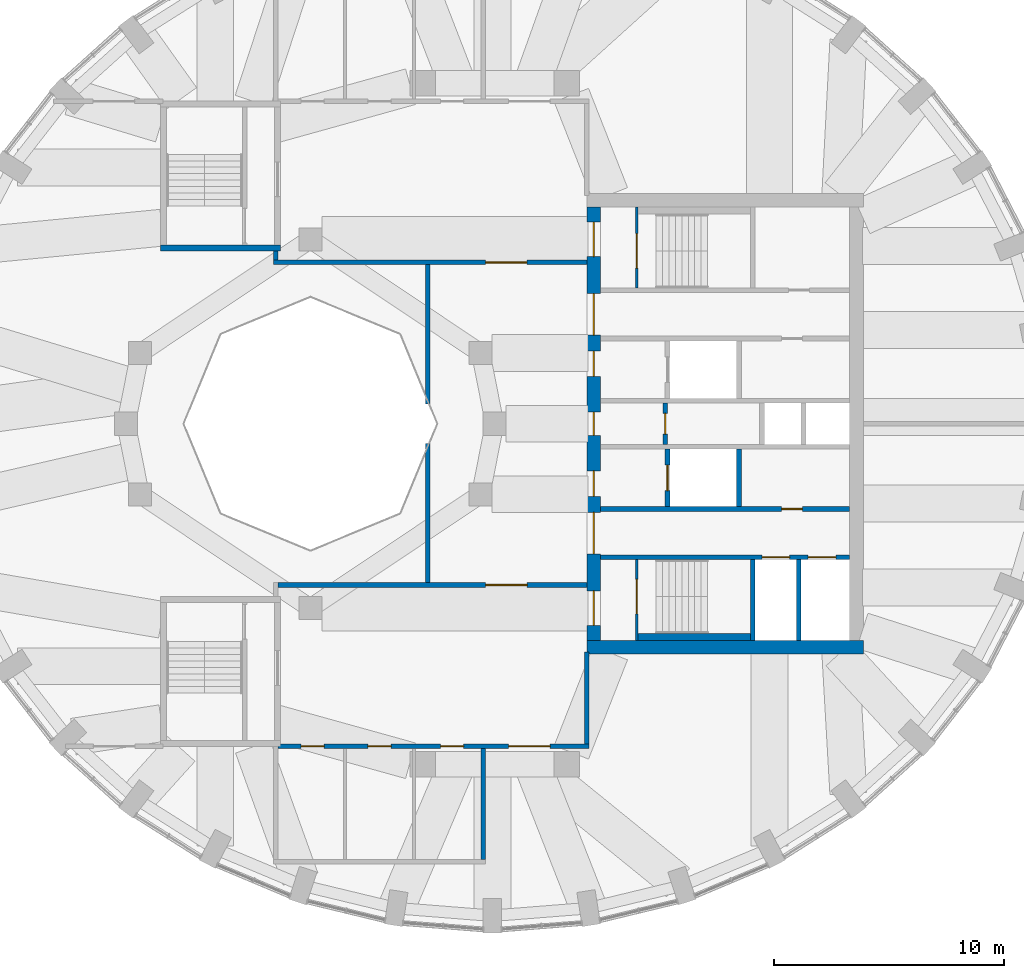
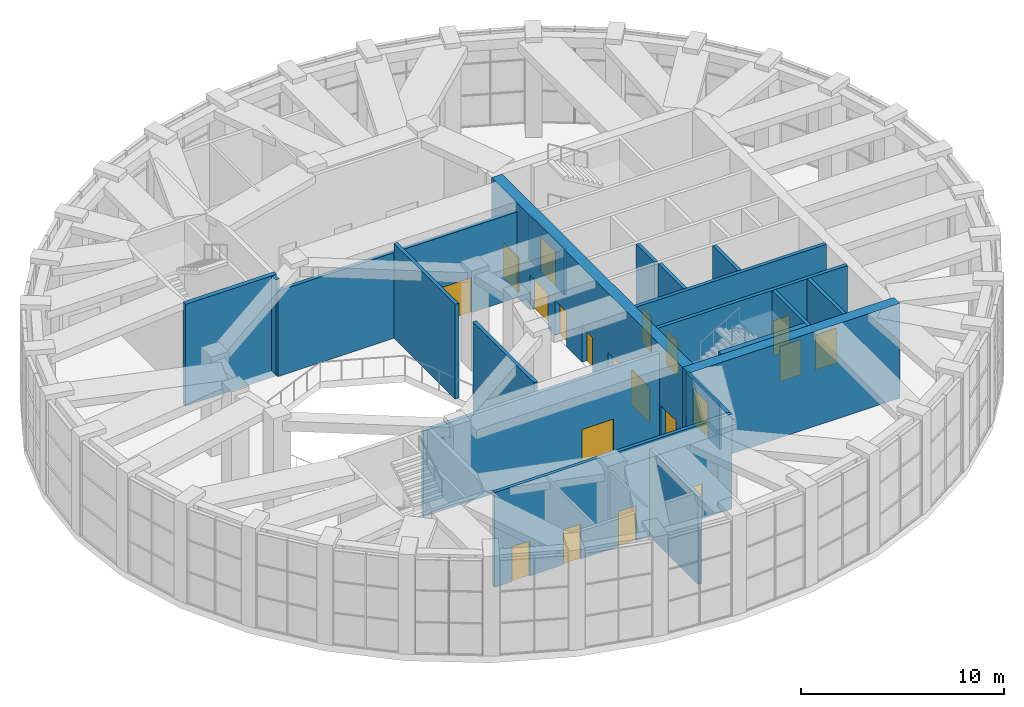
# One storey, part 16 of 20: 21 walls, 20 doors, 20 openings.
"""IFC4 building model written with IfcOpenShell, lengths in metres."""

import ifcopenshell
import ifcopenshell.guid

model = None  # the IFC model being written
_history = None  # IfcOwnerHistory: only IFC2X3 demands one
_inside = {}  # id of a spatial element -> (the spatial element, [elements in it])
_under = {}  # id of a project, library or spatial element -> (it, [spatial elements below it])
_declared = {}  # id of a project -> (the project, [libraries it declares])
_typed = {}  # id of a type object -> (the type object, [elements of that type])
_made_of = {}  # id of a material, layer set ... -> (it, [elements and type objects made of it])


def new_model(schema):
    """Start an empty IFC model of exactly this schema.

    Asked for "IFC4X3", IfcOpenShell would pick the latest addendum, in which some entities
    have other attributes; the version numbers below select the first issue.
    IFC2X3 requires an IfcOwnerHistory on every rooted entity: one is made here for all.
    """
    global model, _history
    if schema == "IFC4X3":
        model = ifcopenshell.file(schema_version=(4, 3, 0, 0))
    else:
        model = ifcopenshell.file(schema=schema)
    _inside.clear()
    _under.clear()
    _declared.clear()
    _typed.clear()
    _made_of.clear()
    _history = None
    if model.schema == "IFC2X3":
        org = make("IfcOrganization", Name="unknown")
        user = make(
            "IfcPersonAndOrganization",
            ThePerson=make("IfcPerson", FamilyName="unknown"),
            TheOrganization=org,
        )
        app = make(
            "IfcApplication",
            ApplicationDeveloper=org,
            Version="unknown",
            ApplicationFullName="unknown",
            ApplicationIdentifier="unknown",
        )
        _history = make(
            "IfcOwnerHistory",
            OwningUser=user,
            OwningApplication=app,
            ChangeAction="ADDED",
            CreationDate=0,
        )
    return model


def make(cls, **values):
    """One entity of the class cls with the attributes given. An attribute that is None is left unset."""
    return model.create_entity(
        cls, **{name: value for name, value in values.items() if value is not None}
    )


def rooted(cls, **values):
    """An entity with a GlobalId (a new one), such as an element, a storey or a relation."""
    return make(cls, GlobalId=ifcopenshell.guid.new(), OwnerHistory=_history, **values)


def si_unit(unit_type, name, prefix=None):
    """IfcSIUnit, for example si_unit("LENGTHUNIT", "METRE", prefix="MILLI")."""
    return make("IfcSIUnit", UnitType=unit_type, Prefix=prefix, Name=name)


def assignment(units):
    """IfcUnitAssignment: the units of a project."""
    return None if units is None else make("IfcUnitAssignment", Units=units)


def point(xyz):
    """IfcCartesianPoint."""
    return None if xyz is None else make("IfcCartesianPoint", Coordinates=xyz)


def direction(xyz):
    """IfcDirection."""
    return None if xyz is None else make("IfcDirection", DirectionRatios=xyz)


def frame(location, z_axis=None, x_axis=None):
    """IfcAxis2Placement3D, a coordinate frame: its origin and axes. An axis left out is left unset."""
    return make(
        "IfcAxis2Placement3D",
        Location=point(location),
        Axis=direction(z_axis),
        RefDirection=direction(x_axis),
    )


def frame_2d(location, x_axis=None):
    """IfcAxis2Placement2D, a coordinate frame in the plane: its origin and x axis."""
    return make(
        "IfcAxis2Placement2D", Location=point(location), RefDirection=direction(x_axis)
    )


def origin():
    """The frame at (0, 0, 0) with its axes left unset."""
    return frame((0.0, 0.0, 0.0))


def place(relative_to, where):
    """IfcLocalPlacement: puts the frame where relative to a parent placement (None: the world)."""
    return make(
        "IfcLocalPlacement", PlacementRelTo=relative_to, RelativePlacement=where
    )


def context(
    kind, dimensions, precision=None, world=None, true_north=None, identifier=None
):
    """IfcGeometricRepresentationContext, for example the 3D "Model" context."""
    return make(
        "IfcGeometricRepresentationContext",
        ContextIdentifier=identifier,
        ContextType=kind,
        CoordinateSpaceDimension=dimensions,
        Precision=precision,
        WorldCoordinateSystem=world,
        TrueNorth=true_north,
    )


def subcontext(parent, identifier, kind, view, scale=None):
    """IfcGeometricRepresentationSubContext, for example "Body" below "Model"."""
    return make(
        "IfcGeometricRepresentationSubContext",
        ContextIdentifier=identifier,
        ContextType=kind,
        ParentContext=parent,
        TargetScale=scale,
        TargetView=view,
    )


def project(units=None, contexts=None):
    """IfcProject with its units and contexts."""
    return rooted(
        "IfcProject",
        Name="project",
        RepresentationContexts=contexts,
        UnitsInContext=assignment(units),
    )


def spatial(cls, under=None, at=None, **own):
    """A site, building, storey or space (cls), placed at a placement, below another one or the project."""
    s = rooted(cls, ObjectPlacement=at, **own)
    if under is not None:
        _under.setdefault(under.id(), (under, []))[1].append(s)
    return s


def profile(cls, at=None, kind="AREA", **sizes):
    """A parametric profile (cls). Its sizes go by their IFC names, for example OverallWidth=200.0."""
    return make(cls, ProfileType=kind, Position=at, **sizes)


def rectangle(**sizes):
    """IfcRectangleProfileDef."""
    return profile("IfcRectangleProfileDef", **sizes)


def extrude(swept, where, along, depth):
    """IfcExtrudedAreaSolid: the profile swept, set in the frame where, extruded along a direction by depth."""
    return make(
        "IfcExtrudedAreaSolid",
        SweptArea=swept,
        Position=where,
        ExtrudedDirection=direction(along),
        Depth=depth,
    )


def shape(context_of_items, identifier, shape_type, items):
    """IfcShapeRepresentation: the items that make up one representation, for example the "Body"."""
    return make(
        "IfcShapeRepresentation",
        ContextOfItems=context_of_items,
        RepresentationIdentifier=identifier,
        RepresentationType=shape_type,
        Items=items,
    )


def material(Name=None, Category=None):
    """IfcMaterial."""
    return make("IfcMaterial", Name=Name, Category=Category)


def layer(
    of_material, thickness, ventilated=None, Name=None, Category=None, Priority=None
):
    """IfcMaterialLayer: one layer of a wall or slab, of a material (None: an air gap)."""
    return make(
        "IfcMaterialLayer",
        Material=of_material,
        LayerThickness=thickness,
        IsVentilated=ventilated,
        Name=Name,
        Category=Category,
        Priority=Priority,
    )


def layer_set(layers, Name=None):
    """IfcMaterialLayerSet."""
    return make("IfcMaterialLayerSet", MaterialLayers=layers, LayerSetName=Name)


def made_of(thing, what):
    """Note that an element or type object is made of a material, layer set ...; save() writes the relation."""
    if what is not None:
        _made_of.setdefault(what.id(), (what, []))[1].append(thing)
    return thing


def type_object(cls, material=None, **own):
    """A type object (cls), such as IfcWallType, which elements share."""
    return made_of(rooted(cls, **own), material)


def element(
    cls,
    number,
    at=None,
    inside=None,
    cuts=None,
    type_object=None,
    material=None,
    context=None,
    identifier="Body",
    shape_type=None,
    held_by="IfcProductDefinitionShape",
    body=None,
    shapes=None,
    **own,
):
    """One element of the class cls, such as IfcWall. Its Tag is "e" and its number.

    at: its placement. inside: the storey or other place that contains it. cuts: it is an
    opening in that element (IfcRelVoidsElement). A single representation is given by context,
    identifier, shape_type and body (its items); several are given by shapes. held_by: the class
    of the entity that holds the representations. save() writes the other relations.
    """
    e = rooted(cls, Tag="e%d" % number, ObjectPlacement=at, **own)
    if body is not None:
        shapes = [shape(context, identifier, shape_type, body)]
    if shapes is not None:
        e.Representation = make(held_by, Representations=shapes)
    if inside is not None:
        _inside.setdefault(inside.id(), (inside, []))[1].append(e)
    if cuts is not None:
        rooted(
            "IfcRelVoidsElement", RelatingBuildingElement=cuts, RelatedOpeningElement=e
        )
    if type_object is not None:
        _typed.setdefault(type_object.id(), (type_object, []))[1].append(e)
    return made_of(e, material)


def fill(opening, filler):
    """IfcRelFillsElement: the door or window that sits in an opening."""
    return rooted(
        "IfcRelFillsElement",
        RelatingOpeningElement=opening,
        RelatedBuildingElement=filler,
    )


def aggregate(whole, parts):
    """IfcRelAggregates: a whole, such as a stair, and the parts it consists of."""
    return rooted("IfcRelAggregates", RelatingObject=whole, RelatedObjects=parts)


def save(model, path):
    """Write the relations noted so far, then the file.

    IfcRelAggregates (storeys below a building ...), IfcRelContainedInSpatialStructure (elements
    in a storey), IfcRelDefinesByType, IfcRelAssociatesMaterial and IfcRelDeclares: one each for
    every whole, place, type object, material and project.
    """
    for whole, parts in _under.values():
        aggregate(whole, parts)
    for where, things in _inside.values():
        rooted(
            "IfcRelContainedInSpatialStructure",
            RelatedElements=things,
            RelatingStructure=where,
        )
    for kind, things in _typed.values():
        rooted("IfcRelDefinesByType", RelatedObjects=things, RelatingType=kind)
    for what, things in _made_of.values():
        rooted("IfcRelAssociatesMaterial", RelatedObjects=things, RelatingMaterial=what)
    for by, libraries in _declared.values():
        rooted("IfcRelDeclares", RelatingContext=by, RelatedDefinitions=libraries)
    model.write(path)


model = new_model("IFC4")

# Units and contexts
model_context = context("Model", 3, precision=1e-05, world=origin(), true_north=direction((0.0, 1.0)))
body_context = subcontext(model_context, "Body", "Model", "MODEL_VIEW")
ifc_project = project(units=[si_unit("LENGTHUNIT", "METRE"), si_unit("AREAUNIT", "SQUARE_METRE"), si_unit("VOLUMEUNIT", "CUBIC_METRE"), si_unit("PLANEANGLEUNIT", "RADIAN"), si_unit("MASSUNIT", "GRAM", prefix="KILO")], contexts=[model_context])

# Site, building, storey
site_placement = place(None, origin())
site = spatial("IfcSite", under=ifc_project, at=site_placement, CompositionType="ELEMENT")
building_placement = place(site_placement, origin())
building = spatial("IfcBuilding", under=site, at=building_placement, Name="Taillehof Tower", CompositionType="ELEMENT")
storey_placement = place(building_placement, frame((0.0, 0.0, 269.199951171875)))
storey = spatial("IfcBuildingStorey", under=building, at=storey_placement, Name="L76", CompositionType="ELEMENT", Elevation=269.199951171875)

# Wall, openings, doors
ifc_material_1 = material(Name="Calcium silicate blockwork", Category="masonry")
ifc_layer_1 = layer(ifc_material_1, 0.199951171875)
ifc_layer_set_1 = layer_set([ifc_layer_1], Name="Compartment wall EI 60 200 mm")
wall_type_1 = type_object("IfcWallType", Name="Compartment wall EI 60 200 mm", PredefinedType="PARTITIONING", material=ifc_layer_set_1)
wall_1_placement = place(storey_placement, frame((-9.39990234375, -14.0, 0.0), z_axis=(0.0, 0.0, 1.0), x_axis=(1.0, 0.0, 0.0)))
wall_1 = element("IfcWall", 1, at=wall_1_placement, inside=storey, type_object=wall_type_1, Name="Wall L76-04 / L76-08", PredefinedType="PARTITIONING", context=body_context, shape_type="SweptSolid", body=[
    extrude(rectangle(XDim=13.5, YDim=0.199951171875, at=frame_2d((6.75, 0.0))), origin(), (0.0, 0.0, 1.0), 5.699951171875),
])
opening_1_placement = place(wall_1_placement, frame((10.0, 0.0, 0.0)))
opening_1 = element("IfcOpeningElement", 2, at=opening_1_placement, cuts=wall_1, Name="Opening D7645", PredefinedType="OPENING", context=body_context, shape_type="SweptSolid", body=[
    extrude(rectangle(XDim=1.800048828125, YDim=2.10009765625, at=frame_2d((0.89990234375, 1.050048828125))), frame((0.0, 0.10986328125, 0.0), z_axis=(0.0, -1.0, 0.0), x_axis=(1.0, 0.0, 0.0)), (0.0, 0.0, 1.0), 0.219970703125),
])
opening_2_placement = place(wall_1_placement, frame((1.0, 0.0, 0.0)))
opening_2 = element("IfcOpeningElement", 3, at=opening_2_placement, cuts=wall_1, Name="Opening D7642", PredefinedType="OPENING", context=body_context, shape_type="SweptSolid", body=[
    extrude(rectangle(XDim=1.0, YDim=2.10009765625, at=frame_2d((0.5, 1.050048828125))), frame((0.0, 0.10986328125, 0.0), z_axis=(0.0, -1.0, 0.0), x_axis=(1.0, 0.0, 0.0)), (0.0, 0.0, 1.0), 0.219970703125),
])
opening_3_placement = place(wall_1_placement, frame((3.89990234375, 0.0, 0.0)))
opening_3 = element("IfcOpeningElement", 4, at=opening_3_placement, cuts=wall_1, Name="Opening D7643", PredefinedType="OPENING", context=body_context, shape_type="SweptSolid", body=[
    extrude(rectangle(XDim=1.0, YDim=2.10009765625, at=frame_2d((0.5, 1.050048828125))), frame((0.0, 0.10986328125, 0.0), z_axis=(0.0, -1.0, 0.0), x_axis=(1.0, 0.0, 0.0)), (0.0, 0.0, 1.0), 0.219970703125),
])
opening_4_placement = place(wall_1_placement, frame((7.050048828125, 0.0, 0.0)))
opening_4 = element("IfcOpeningElement", 5, at=opening_4_placement, cuts=wall_1, Name="Opening D7644", PredefinedType="OPENING", context=body_context, shape_type="SweptSolid", body=[
    extrude(rectangle(XDim=1.0, YDim=2.10009765625, at=frame_2d((0.5, 1.050048828125))), frame((0.0, 0.10986328125, 0.0), z_axis=(0.0, -1.0, 0.0), x_axis=(1.0, 0.0, 0.0)), (0.0, 0.0, 1.0), 0.219970703125),
])
ifc_material_2 = material(Name="Hollow metal door set")
door_type_1 = type_object("IfcDoorType", Name="Double door 1800 x 2100 FD60S", OperationType="DOUBLE_DOOR_SINGLE_SWING", PredefinedType="DOOR", material=ifc_material_2)
door_1_placement = place(opening_1_placement, origin())
door_1 = element("IfcDoor", 6, at=door_1_placement, inside=storey, type_object=door_type_1, Name="Door D7645", OperationType="DOUBLE_DOOR_SINGLE_SWING", OverallHeight=2.10009765625, OverallWidth=1.800048828125, PredefinedType="DOOR", context=body_context, shape_type="SweptSolid", body=[
    extrude(rectangle(XDim=1.800048828125, YDim=2.10009765625, at=frame_2d((0.89990234375, 1.050048828125))), frame((0.0, 0.02490234375, 0.0), z_axis=(0.0, -1.0, 0.0), x_axis=(1.0, 0.0, 0.0)), (0.0, 0.0, 1.0), 0.050048828125),
])
fill(opening_1, door_1)
ifc_material_3 = material(Name="Hollow metal door set")
door_type_2 = type_object("IfcDoorType", Name="Single door 1000 x 2100 FD60S", OperationType="SINGLE_SWING_LEFT", PredefinedType="DOOR", material=ifc_material_3)
door_2_placement = place(opening_2_placement, origin())
door_2 = element("IfcDoor", 7, at=door_2_placement, inside=storey, type_object=door_type_2, Name="Door D7642", OperationType="SINGLE_SWING_LEFT", OverallHeight=2.10009765625, OverallWidth=1.0, PredefinedType="DOOR", context=body_context, shape_type="SweptSolid", body=[
    extrude(rectangle(XDim=1.0, YDim=2.10009765625, at=frame_2d((0.5, 1.050048828125))), frame((0.0, 0.02490234375, 0.0), z_axis=(0.0, -1.0, 0.0), x_axis=(1.0, 0.0, 0.0)), (0.0, 0.0, 1.0), 0.050048828125),
])
fill(opening_2, door_2)
door_3_placement = place(opening_3_placement, origin())
door_3 = element("IfcDoor", 8, at=door_3_placement, inside=storey, type_object=door_type_2, Name="Door D7643", OperationType="SINGLE_SWING_LEFT", OverallHeight=2.10009765625, OverallWidth=1.0, PredefinedType="DOOR", context=body_context, shape_type="SweptSolid", body=[
    extrude(rectangle(XDim=1.0, YDim=2.10009765625, at=frame_2d((0.5, 1.050048828125))), frame((0.0, 0.02490234375, 0.0), z_axis=(0.0, -1.0, 0.0), x_axis=(1.0, 0.0, 0.0)), (0.0, 0.0, 1.0), 0.050048828125),
])
fill(opening_3, door_3)
door_4_placement = place(opening_4_placement, origin())
door_4 = element("IfcDoor", 9, at=door_4_placement, inside=storey, type_object=door_type_2, Name="Door D7644", OperationType="SINGLE_SWING_LEFT", OverallHeight=2.10009765625, OverallWidth=1.0, PredefinedType="DOOR", context=body_context, shape_type="SweptSolid", body=[
    extrude(rectangle(XDim=1.0, YDim=2.10009765625, at=frame_2d((0.5, 1.050048828125))), frame((0.0, 0.02490234375, 0.0), z_axis=(0.0, -1.0, 0.0), x_axis=(1.0, 0.0, 0.0)), (0.0, 0.0, 1.0), 0.050048828125),
])
fill(opening_4, door_4)

# Wall, opening, door
wall_2_placement = place(storey_placement, frame((-9.39990234375, -7.0, 0.0), z_axis=(0.0, 0.0, 1.0), x_axis=(1.0, 0.0, 0.0)))
wall_2 = element("IfcWall", 10, at=wall_2_placement, inside=storey, type_object=wall_type_1, Name="Wall L76-08 / L76-12", PredefinedType="PARTITIONING", context=body_context, shape_type="SweptSolid", body=[
    extrude(rectangle(XDim=13.40185546875, YDim=0.199951171875, at=frame_2d((6.700927734375, 0.0))), origin(), (0.0, 0.0, 1.0), 5.150146484375),
])
opening_5_placement = place(wall_2_placement, frame((9.0009765625, 0.0, 0.0)))
opening_5 = element("IfcOpeningElement", 11, at=opening_5_placement, cuts=wall_2, Name="Opening D7646", PredefinedType="OPENING", context=body_context, shape_type="SweptSolid", body=[
    extrude(rectangle(XDim=1.800048828125, YDim=2.10009765625, at=frame_2d((0.89990234375, 1.050048828125))), frame((0.0, 0.10986328125, 0.0), z_axis=(0.0, -1.0, 0.0), x_axis=(1.0, 0.0, 0.0)), (0.0, 0.0, 1.0), 0.219970703125),
])
door_5_placement = place(opening_5_placement, origin())
door_5 = element("IfcDoor", 12, at=door_5_placement, inside=storey, type_object=door_type_1, Name="Door D7646", OperationType="DOUBLE_DOOR_SINGLE_SWING", OverallHeight=2.10009765625, OverallWidth=1.800048828125, PredefinedType="DOOR", context=body_context, shape_type="SweptSolid", body=[
    extrude(rectangle(XDim=1.800048828125, YDim=2.10009765625, at=frame_2d((0.89990234375, 1.050048828125))), frame((0.0, 0.02490234375, 0.0), z_axis=(0.0, -1.0, 0.0), x_axis=(1.0, 0.0, 0.0)), (0.0, 0.0, 1.0), 0.050048828125),
])
fill(opening_5, door_5)

wall_3_placement = place(storey_placement, frame((-9.60009765625, 7.0, 0.0), z_axis=(0.0, 0.0, 1.0), x_axis=(1.0, 0.0, 0.0)))
wall_3 = element("IfcWall", 13, at=wall_3_placement, inside=storey, type_object=wall_type_1, Name="Wall L76-07 / L76-12", PredefinedType="PARTITIONING", context=body_context, shape_type="SweptSolid", body=[
    extrude(rectangle(XDim=13.60205078125, YDim=0.199951171875, at=frame_2d((6.801025390625, 0.0))), origin(), (0.0, 0.0, 1.0), 5.150146484375),
])
opening_6_placement = place(wall_3_placement, frame((9.200927734375, 0.0, 0.0)))
opening_6 = element("IfcOpeningElement", 14, at=opening_6_placement, cuts=wall_3, Name="Opening D7647", PredefinedType="OPENING", context=body_context, shape_type="SweptSolid", body=[
    extrude(rectangle(XDim=1.800048828125, YDim=2.10009765625, at=frame_2d((0.89990234375, 1.050048828125))), frame((0.0, 0.10986328125, 0.0), z_axis=(0.0, -1.0, 0.0), x_axis=(1.0, 0.0, 0.0)), (0.0, 0.0, 1.0), 0.219970703125),
])
door_6_placement = place(opening_6_placement, origin())
door_6 = element("IfcDoor", 15, at=door_6_placement, inside=storey, type_object=door_type_1, Name="Door D7647", OperationType="DOUBLE_DOOR_SINGLE_SWING", OverallHeight=2.10009765625, OverallWidth=1.800048828125, PredefinedType="DOOR", context=body_context, shape_type="SweptSolid", body=[
    extrude(rectangle(XDim=1.800048828125, YDim=2.10009765625, at=frame_2d((0.89990234375, 1.050048828125))), frame((0.0, 0.02490234375, 0.0), z_axis=(0.0, -1.0, 0.0), x_axis=(1.0, 0.0, 0.0)), (0.0, 0.0, 1.0), 0.050048828125),
])
fill(opening_6, door_6)

# Walls
wall_4_placement = place(storey_placement, frame((-9.5, 7.10009765625, 0.0), z_axis=(0.0, 0.0, 1.0), x_axis=(0.0, 1.0, 0.0)))
element("IfcWall", 16, at=wall_4_placement, inside=storey, type_object=wall_type_1, Name="Wall L76-07 / L76-12", PredefinedType="PARTITIONING", context=body_context, shape_type="SweptSolid", body=[
    extrude(rectangle(XDim=0.40185546875, YDim=0.199951171875, at=frame_2d((0.200927734375, 0.0))), origin(), (0.0, 0.0, 1.0), 5.699951171875),
])
for number, where, z_axis, x_axis, name in (
    (17, (-2.89990234375, -6.89990234375, 0.0), (0.0, 0.0, 1.0), (0.0, 1.0, 0.0), "Wall L76-09 / L76-12"),
    (18, (-2.89990234375, 0.86572265625, 0.0), (0.0, 0.0, 1.0), (0.0, 1.0, 0.0), "Wall L76-09 / L76-12"),
):
    element("IfcWall", number, at=place(storey_placement, frame(where, z_axis=z_axis, x_axis=x_axis)), inside=storey, type_object=wall_type_1, Name=name, PredefinedType="PARTITIONING", context=body_context, shape_type="SweptSolid", body=[
        extrude(rectangle(XDim=6.0341796875, YDim=0.199951171875, at=frame_2d((3.01708984375, 0.0))), origin(), (0.0, 0.0, 1.0), 5.699951171875),
    ])
wall_5_placement = place(storey_placement, frame((-0.5, -18.89990234375, 0.0), z_axis=(0.0, 0.0, 1.0), x_axis=(0.0, 1.0, 0.0)))
element("IfcWall", 19, at=wall_5_placement, inside=storey, type_object=wall_type_1, Name="Wall L76-06 / L76-11", PredefinedType="PARTITIONING", context=body_context, shape_type="SweptSolid", body=[
    extrude(rectangle(XDim=4.7998046875, YDim=0.199951171875, at=frame_2d((2.39990234375, 0.0))), origin(), (0.0, 0.0, 1.0), 5.25),
])
wall_6_placement = place(storey_placement, frame((4.0, -13.89990234375, 0.0), z_axis=(0.0, 0.0, 1.0), x_axis=(0.0, 1.0, 0.0)))
element("IfcWall", 20, at=wall_6_placement, inside=storey, type_object=wall_type_1, Name="Wall L76-08 / L76-11", PredefinedType="PARTITIONING", context=body_context, shape_type="SweptSolid", body=[
    extrude(rectangle(XDim=4.0, YDim=0.199951171875, at=frame_2d((2.0, 0.0))), origin(), (0.0, 0.0, 1.0), 5.699951171875),
])

# Wall, opening, door
ifc_material_4 = material(Name="Calcium silicate masonry", Category="masonry")
ifc_layer_2 = layer(ifc_material_4, 0.199951171875)
ifc_layer_set_2 = layer_set([ifc_layer_2], Name="Compartment wall calcium silicate 200")
wall_type_2 = type_object("IfcWallType", Name="Compartment wall calcium silicate 200", PredefinedType="PARTITIONING", material=ifc_layer_set_2)
wall_7_placement = place(storey_placement, frame((7.39990234375, -0.89990234375, 0.0), z_axis=(0.0, 0.0, 1.0), x_axis=(0.0, 1.0, 0.0)))
wall_7 = element("IfcWall", 21, at=wall_7_placement, inside=storey, type_object=wall_type_2, Name="Compartment wall FW", PredefinedType="PARTITIONING", context=body_context, shape_type="SweptSolid", body=[
    extrude(rectangle(XDim=1.7998046875, YDim=0.199951171875, at=frame_2d((0.89990234375, 0.0))), origin(), (0.0, 0.0, 1.0), 5.699951171875),
])
opening_7_placement = place(wall_7_placement, frame((0.449951171875, 0.0, 0.0)))
opening_7 = element("IfcOpeningElement", 22, at=opening_7_placement, cuts=wall_7, Name="Opening D7615", PredefinedType="OPENING", context=body_context, shape_type="SweptSolid", body=[
    extrude(rectangle(XDim=0.89990234375, YDim=2.10009765625, at=frame_2d((0.449951171875, 1.050048828125))), frame((0.0, 0.10986328125, 0.0), z_axis=(0.0, -1.0, 0.0), x_axis=(1.0, 0.0, 0.0)), (0.0, 0.0, 1.0), 0.219970703125),
])
ifc_material_5 = material(Name="Steel-faced fire door", Category="steel")
door_type_3 = type_object("IfcDoorType", Name="Riser and service room door 900x2100", OperationType="SINGLE_SWING_LEFT", PredefinedType="DOOR", material=ifc_material_5)
door_7_placement = place(opening_7_placement, origin())
door_7 = element("IfcDoor", 23, at=door_7_placement, inside=storey, type_object=door_type_3, Name="Door Staff Pantry", OperationType="SINGLE_SWING_LEFT", OverallHeight=2.10009765625, OverallWidth=0.89990234375, PredefinedType="DOOR", context=body_context, shape_type="SweptSolid", body=[
    extrude(rectangle(XDim=0.89990234375, YDim=2.10009765625, at=frame_2d((0.449951171875, 1.050048828125))), frame((0.0, 0.02490234375, 0.0), z_axis=(0.0, -1.0, 0.0), x_axis=(1.0, 0.0, 0.0)), (0.0, 0.0, 1.0), 0.050048828125),
])
fill(opening_7, door_7)

# Wall
ifc_material_6 = material(Name="Calcium silicate masonry", Category="masonry")
ifc_layer_3 = layer(ifc_material_6, 0.300048828125)
ifc_layer_set_3 = layer_set([ifc_layer_3], Name="Compartment wall lining calcium silicate 300")
wall_type_3 = type_object("IfcWallType", Name="Compartment wall lining calcium silicate 300", PredefinedType="PARTITIONING", material=ifc_layer_set_3)
wall_8_placement = place(storey_placement, frame((6.219970703125, -9.25, 0.0), z_axis=(0.0, 0.0, 1.0), x_axis=(1.0, 0.0, 0.0)))
element("IfcWall", 24, at=wall_8_placement, inside=storey, type_object=wall_type_3, Name="Compartment wall FW", PredefinedType="PARTITIONING", context=body_context, shape_type="SweptSolid", body=[
    extrude(rectangle(XDim=4.880126953125, YDim=0.300048828125, at=frame_2d((2.43994140625, 0.0))), origin(), (0.0, 0.0, 1.0), 5.699951171875),
])

# Wall, openings, doors
ifc_material_7 = material(Name="Concrete C80/95", Category="concrete")
ifc_layer_4 = layer(ifc_material_7, 0.60009765625)
ifc_layer_set_4 = layer_set([ifc_layer_4], Name="Core wall C80/95 600")
wall_type_4 = type_object("IfcWallType", Name="Core wall C80/95 600", PredefinedType="SHEAR", material=ifc_layer_set_4)
wall_9_placement = place(storey_placement, frame((4.300048828125, -9.39990234375, 0.0), z_axis=(0.0, 0.0, 1.0), x_axis=(0.0, 1.0, 0.0)))
wall_9 = element("IfcWall", 25, at=wall_9_placement, inside=storey, type_object=wall_type_4, Name="Core wall CW01", PredefinedType="SHEAR", context=body_context, shape_type="SweptSolid", body=[
    extrude(rectangle(XDim=18.7998046875, YDim=0.60009765625, at=frame_2d((9.39990234375, 0.0))), origin(), (0.0, 0.0, 1.0), 5.699951171875),
])
opening_8_placement = place(wall_9_placement, frame((0.64990234375, 0.0, 0.0)))
opening_8 = element("IfcOpeningElement", 26, at=opening_8_placement, cuts=wall_9, Name="Opening D7601", PredefinedType="OPENING", context=body_context, shape_type="SweptSolid", body=[
    extrude(rectangle(XDim=1.5, YDim=2.10009765625, at=frame_2d((0.75, 1.050048828125))), frame((0.0, 0.31005859375, 0.0), z_axis=(0.0, -1.0, 0.0), x_axis=(1.0, 0.0, 0.0)), (0.0, 0.0, 1.0), 0.6201171875),
])
opening_9_placement = place(wall_9_placement, frame((3.75, 0.0, 0.0)))
opening_9 = element("IfcOpeningElement", 27, at=opening_9_placement, cuts=wall_9, Name="Opening D7602", PredefinedType="OPENING", context=body_context, shape_type="SweptSolid", body=[
    extrude(rectangle(XDim=1.800048828125, YDim=2.10009765625, at=frame_2d((0.89990234375, 1.050048828125))), frame((0.0, 0.31005859375, 0.0), z_axis=(0.0, -1.0, 0.0), x_axis=(1.0, 0.0, 0.0)), (0.0, 0.0, 1.0), 0.6201171875),
])
opening_10_placement = place(wall_9_placement, frame((6.25, 0.0, 0.0)))
opening_10 = element("IfcOpeningElement", 28, at=opening_10_placement, cuts=wall_9, Name="Opening D7603", PredefinedType="OPENING", context=body_context, shape_type="SweptSolid", body=[
    extrude(rectangle(XDim=1.10009765625, YDim=2.10009765625, at=frame_2d((0.550048828125, 1.050048828125))), frame((0.0, 0.31005859375, 0.0), z_axis=(0.0, -1.0, 0.0), x_axis=(1.0, 0.0, 0.0)), (0.0, 0.0, 1.0), 0.6201171875),
])
opening_11_placement = place(wall_9_placement, frame((8.89990234375, 0.0, 0.0)))
opening_11 = element("IfcOpeningElement", 29, at=opening_11_placement, cuts=wall_9, Name="Opening D7604", PredefinedType="OPENING", context=body_context, shape_type="SweptSolid", body=[
    extrude(rectangle(XDim=1.0, YDim=2.10009765625, at=frame_2d((0.5, 1.050048828125))), frame((0.0, 0.31005859375, 0.0), z_axis=(0.0, -1.0, 0.0), x_axis=(1.0, 0.0, 0.0)), (0.0, 0.0, 1.0), 0.6201171875),
])
opening_12_placement = place(wall_9_placement, frame((11.449951171875, 0.0, 0.0)))
opening_12 = element("IfcOpeningElement", 30, at=opening_12_placement, cuts=wall_9, Name="Opening D7605", PredefinedType="OPENING", context=body_context, shape_type="SweptSolid", body=[
    extrude(rectangle(XDim=1.10009765625, YDim=2.10009765625, at=frame_2d((0.550048828125, 1.050048828125))), frame((0.0, 0.31005859375, 0.0), z_axis=(0.0, -1.0, 0.0), x_axis=(1.0, 0.0, 0.0)), (0.0, 0.0, 1.0), 0.6201171875),
])
opening_13_placement = place(wall_9_placement, frame((13.25, 0.0, 0.0)))
opening_13 = element("IfcOpeningElement", 31, at=opening_13_placement, cuts=wall_9, Name="Opening D7606", PredefinedType="OPENING", context=body_context, shape_type="SweptSolid", body=[
    extrude(rectangle(XDim=1.800048828125, YDim=2.10009765625, at=frame_2d((0.89990234375, 1.050048828125))), frame((0.0, 0.31005859375, 0.0), z_axis=(0.0, -1.0, 0.0), x_axis=(1.0, 0.0, 0.0)), (0.0, 0.0, 1.0), 0.6201171875),
])
opening_14_placement = place(wall_9_placement, frame((16.64990234375, 0.0, 0.0)))
opening_14 = element("IfcOpeningElement", 32, at=opening_14_placement, cuts=wall_9, Name="Opening D7607", PredefinedType="OPENING", context=body_context, shape_type="SweptSolid", body=[
    extrude(rectangle(XDim=1.5, YDim=2.10009765625, at=frame_2d((0.75, 1.050048828125))), frame((0.0, 0.31005859375, 0.0), z_axis=(0.0, -1.0, 0.0), x_axis=(1.0, 0.0, 0.0)), (0.0, 0.0, 1.0), 0.6201171875),
])
ifc_material_8 = material(Name="Steel-faced fire door", Category="steel")
door_type_4 = type_object("IfcDoorType", Name="Firefighting lobby door 1100x2100", OperationType="SINGLE_SWING_RIGHT", PredefinedType="DOOR", material=ifc_material_8)
door_8_placement = place(opening_10_placement, origin())
door_8 = element("IfcDoor", 33, at=door_8_placement, inside=storey, type_object=door_type_4, Name="Firefighting lobby door FFL-S", OperationType="SINGLE_SWING_RIGHT", OverallHeight=2.10009765625, OverallWidth=1.10009765625, PredefinedType="DOOR", context=body_context, shape_type="SweptSolid", body=[
    extrude(rectangle(XDim=1.10009765625, YDim=2.10009765625, at=frame_2d((0.550048828125, 1.050048828125))), frame((0.0, 0.02490234375, 0.0), z_axis=(0.0, -1.0, 0.0), x_axis=(1.0, 0.0, 0.0)), (0.0, 0.0, 1.0), 0.050048828125),
])
fill(opening_10, door_8)
door_9_placement = place(opening_12_placement, origin())
door_9 = element("IfcDoor", 34, at=door_9_placement, inside=storey, type_object=door_type_4, Name="Firefighting lobby door FFL-N", OperationType="SINGLE_SWING_LEFT", OverallHeight=2.10009765625, OverallWidth=1.10009765625, PredefinedType="DOOR", context=body_context, shape_type="SweptSolid", body=[
    extrude(rectangle(XDim=1.10009765625, YDim=2.10009765625, at=frame_2d((0.550048828125, 1.050048828125))), frame((0.0, 0.02490234375, 0.0), z_axis=(0.0, -1.0, 0.0), x_axis=(1.0, 0.0, 0.0)), (0.0, 0.0, 1.0), 0.050048828125),
])
fill(opening_12, door_9)
ifc_material_9 = material(Name="Steel-faced fire door", Category="steel")
door_type_5 = type_object("IfcDoorType", Name="Lift lobby door 1800x2100", OperationType="DOUBLE_DOOR_SINGLE_SWING", PredefinedType="DOOR", material=ifc_material_9)
door_10_placement = place(opening_9_placement, origin())
door_10 = element("IfcDoor", 35, at=door_10_placement, inside=storey, type_object=door_type_5, Name="Lift lobby door LL-S", OperationType="DOUBLE_DOOR_SINGLE_SWING", OverallHeight=2.10009765625, OverallWidth=1.800048828125, PredefinedType="DOOR", context=body_context, shape_type="SweptSolid", body=[
    extrude(rectangle(XDim=1.800048828125, YDim=2.10009765625, at=frame_2d((0.89990234375, 1.050048828125))), frame((0.0, 0.02490234375, 0.0), z_axis=(0.0, -1.0, 0.0), x_axis=(1.0, 0.0, 0.0)), (0.0, 0.0, 1.0), 0.050048828125),
])
fill(opening_9, door_10)
door_11_placement = place(opening_13_placement, origin())
door_11 = element("IfcDoor", 36, at=door_11_placement, inside=storey, type_object=door_type_5, Name="Lift lobby door LL-N", OperationType="DOUBLE_DOOR_SINGLE_SWING", OverallHeight=2.10009765625, OverallWidth=1.800048828125, PredefinedType="DOOR", context=body_context, shape_type="SweptSolid", body=[
    extrude(rectangle(XDim=1.800048828125, YDim=2.10009765625, at=frame_2d((0.89990234375, 1.050048828125))), frame((0.0, 0.02490234375, 0.0), z_axis=(0.0, -1.0, 0.0), x_axis=(1.0, 0.0, 0.0)), (0.0, 0.0, 1.0), 0.050048828125),
])
fill(opening_13, door_11)
ifc_material_10 = material(Name="Steel-faced fire door", Category="steel")
door_type_6 = type_object("IfcDoorType", Name="Service door 1000x2100", OperationType="SINGLE_SWING_RIGHT", PredefinedType="DOOR", material=ifc_material_10)
door_12_placement = place(opening_11_placement, origin())
door_12 = element("IfcDoor", 37, at=door_12_placement, inside=storey, type_object=door_type_6, Name="Service door SV", OperationType="SINGLE_SWING_RIGHT", OverallHeight=2.10009765625, OverallWidth=1.0, PredefinedType="DOOR", context=body_context, shape_type="SweptSolid", body=[
    extrude(rectangle(XDim=1.0, YDim=2.10009765625, at=frame_2d((0.5, 1.050048828125))), frame((0.0, 0.02490234375, 0.0), z_axis=(0.0, -1.0, 0.0), x_axis=(1.0, 0.0, 0.0)), (0.0, 0.0, 1.0), 0.050048828125),
])
fill(opening_11, door_12)
ifc_material_11 = material(Name="Steel-faced fire door", Category="steel")
door_type_7 = type_object("IfcDoorType", Name="Stair door 1500x2100", OperationType="DOUBLE_DOOR_SINGLE_SWING", PredefinedType="DOOR", material=ifc_material_11)
door_13_placement = place(opening_8_placement, origin())
door_13 = element("IfcDoor", 38, at=door_13_placement, inside=storey, type_object=door_type_7, Name="Stair door S2", OperationType="DOUBLE_DOOR_SINGLE_SWING", OverallHeight=2.10009765625, OverallWidth=1.5, PredefinedType="DOOR", context=body_context, shape_type="SweptSolid", body=[
    extrude(rectangle(XDim=1.5, YDim=2.10009765625, at=frame_2d((0.75, 1.050048828125))), frame((0.0, 0.02490234375, 0.0), z_axis=(0.0, -1.0, 0.0), x_axis=(1.0, 0.0, 0.0)), (0.0, 0.0, 1.0), 0.050048828125),
])
fill(opening_8, door_13)
door_14_placement = place(opening_14_placement, origin())
door_14 = element("IfcDoor", 39, at=door_14_placement, inside=storey, type_object=door_type_7, Name="Stair door S1", OperationType="DOUBLE_DOOR_SINGLE_SWING", OverallHeight=2.10009765625, OverallWidth=1.5, PredefinedType="DOOR", context=body_context, shape_type="SweptSolid", body=[
    extrude(rectangle(XDim=1.5, YDim=2.10009765625, at=frame_2d((0.75, 1.050048828125))), frame((0.0, 0.02490234375, 0.0), z_axis=(0.0, -1.0, 0.0), x_axis=(1.0, 0.0, 0.0)), (0.0, 0.0, 1.0), 0.050048828125),
])
fill(opening_14, door_14)

# Wall
wall_10_placement = place(storey_placement, frame((4.0, -9.699951171875, 0.0), z_axis=(0.0, 0.0, 1.0), x_axis=(1.0, 0.0, 0.0)))
element("IfcWall", 40, at=wall_10_placement, inside=storey, type_object=wall_type_4, Name="Core wall CW07", PredefinedType="SHEAR", context=body_context, shape_type="SweptSolid", body=[
    extrude(rectangle(XDim=12.0, YDim=0.60009765625, at=frame_2d((6.0, 0.0))), origin(), (0.0, 0.0, 1.0), 5.699951171875),
])

# Wall, opening, door
ifc_material_12 = material(Name="Concrete C50/60", Category="concrete")
ifc_layer_5 = layer(ifc_material_12, 0.199951171875)
ifc_layer_set_5 = layer_set([ifc_layer_5], Name="Shaft wall C50/60 200")
wall_type_5 = type_object("IfcWallType", Name="Shaft wall C50/60 200", PredefinedType="SHEAR", material=ifc_layer_set_5)
wall_11_placement = place(storey_placement, frame((4.60009765625, -3.699951171875, 0.0), z_axis=(0.0, 0.0, 1.0), x_axis=(1.0, 0.0, 0.0)))
wall_11 = element("IfcWall", 41, at=wall_11_placement, inside=storey, type_object=wall_type_5, Name="Shaft wall SW", PredefinedType="SHEAR", context=body_context, shape_type="SweptSolid", body=[
    extrude(rectangle(XDim=10.7998046875, YDim=0.199951171875, at=frame_2d((5.39990234375, 0.0))), origin(), (0.0, 0.0, 1.0), 5.699951171875),
])
opening_15_placement = place(wall_11_placement, frame((7.85009765625, 0.0, 0.0)))
opening_15 = element("IfcOpeningElement", 42, at=opening_15_placement, cuts=wall_11, Name="Opening D7614", PredefinedType="OPENING", context=body_context, shape_type="SweptSolid", body=[
    extrude(rectangle(XDim=0.89990234375, YDim=2.10009765625, at=frame_2d((0.449951171875, 1.050048828125))), frame((0.0, 0.10986328125, 0.0), z_axis=(0.0, -1.0, 0.0), x_axis=(1.0, 0.0, 0.0)), (0.0, 0.0, 1.0), 0.219970703125),
])
door_15_placement = place(opening_15_placement, origin())
door_15 = element("IfcDoor", 43, at=door_15_placement, inside=storey, type_object=door_type_3, Name="Door Bms Room", OperationType="SINGLE_SWING_LEFT", OverallHeight=2.10009765625, OverallWidth=0.89990234375, PredefinedType="DOOR", context=body_context, shape_type="SweptSolid", body=[
    extrude(rectangle(XDim=0.89990234375, YDim=2.10009765625, at=frame_2d((0.449951171875, 1.050048828125))), frame((0.0, 0.02490234375, 0.0), z_axis=(0.0, -1.0, 0.0), x_axis=(1.0, 0.0, 0.0)), (0.0, 0.0, 1.0), 0.050048828125),
])
fill(opening_15, door_15)

# Wall, openings, doors
wall_12_placement = place(storey_placement, frame((4.60009765625, -5.800048828125, 0.0), z_axis=(0.0, 0.0, 1.0), x_axis=(1.0, 0.0, 0.0)))
wall_12 = element("IfcWall", 44, at=wall_12_placement, inside=storey, type_object=wall_type_5, Name="Shaft wall SW", PredefinedType="SHEAR", context=body_context, shape_type="SweptSolid", body=[
    extrude(rectangle(XDim=10.7998046875, YDim=0.199951171875, at=frame_2d((5.39990234375, 0.0))), origin(), (0.0, 0.0, 1.0), 5.699951171875),
])
opening_16_placement = place(wall_12_placement, frame((7.0, 0.0, 0.0)))
opening_16 = element("IfcOpeningElement", 45, at=opening_16_placement, cuts=wall_12, Name="Opening LD2", PredefinedType="OPENING", context=body_context, shape_type="SweptSolid", body=[
    extrude(rectangle(XDim=1.199951171875, YDim=2.10009765625, at=frame_2d((0.60009765625, 1.050048828125))), frame((0.0, 0.10986328125, 0.0), z_axis=(0.0, -1.0, 0.0), x_axis=(1.0, 0.0, 0.0)), (0.0, 0.0, 1.0), 0.219970703125),
])
opening_17_placement = place(wall_12_placement, frame((9.0, 0.0, 0.0)))
opening_17 = element("IfcOpeningElement", 46, at=opening_17_placement, cuts=wall_12, Name="Opening LD2", PredefinedType="OPENING", context=body_context, shape_type="SweptSolid", body=[
    extrude(rectangle(XDim=1.199951171875, YDim=2.10009765625, at=frame_2d((0.60009765625, 1.050048828125))), frame((0.0, 0.10986328125, 0.0), z_axis=(0.0, -1.0, 0.0), x_axis=(1.0, 0.0, 0.0)), (0.0, 0.0, 1.0), 0.219970703125),
])
ifc_material_13 = material(Name="Stainless steel", Category="steel")
door_type_8 = type_object("IfcDoorType", Name="Lift landing door LD2 1200x2100", OperationType="DOUBLE_DOOR_SLIDING", PredefinedType="DOOR", material=ifc_material_13)
door_16_placement = place(opening_16_placement, origin())
door_16 = element("IfcDoor", 47, at=door_16_placement, inside=storey, type_object=door_type_8, Name="Landing door OB1", OperationType="DOUBLE_DOOR_SLIDING", OverallHeight=2.10009765625, OverallWidth=1.199951171875, PredefinedType="DOOR", context=body_context, shape_type="SweptSolid", body=[
    extrude(rectangle(XDim=1.199951171875, YDim=2.10009765625, at=frame_2d((0.60009765625, 1.050048828125))), frame((0.0, 0.02490234375, 0.0), z_axis=(0.0, -1.0, 0.0), x_axis=(1.0, 0.0, 0.0)), (0.0, 0.0, 1.0), 0.050048828125),
])
fill(opening_16, door_16)
door_17_placement = place(opening_17_placement, origin())
door_17 = element("IfcDoor", 48, at=door_17_placement, inside=storey, type_object=door_type_8, Name="Landing door OB2", OperationType="DOUBLE_DOOR_SLIDING", OverallHeight=2.10009765625, OverallWidth=1.199951171875, PredefinedType="DOOR", context=body_context, shape_type="SweptSolid", body=[
    extrude(rectangle(XDim=1.199951171875, YDim=2.10009765625, at=frame_2d((0.60009765625, 1.050048828125))), frame((0.0, 0.02490234375, 0.0), z_axis=(0.0, -1.0, 0.0), x_axis=(1.0, 0.0, 0.0)), (0.0, 0.0, 1.0), 0.050048828125),
])
fill(opening_17, door_17)

# Walls
for number, where, z_axis, x_axis, name in (
    (49, (11.199951171875, -9.39990234375, 0.0), (0.0, 0.0, 1.0), (0.0, 1.0, 0.0), "Shaft wall SW"),
    (50, (13.199951171875, -9.39990234375, 0.0), (0.0, 0.0, 1.0), (0.0, 1.0, 0.0), "Shaft wall SW"),
):
    element("IfcWall", number, at=place(storey_placement, frame(where, z_axis=z_axis, x_axis=x_axis)), inside=storey, type_object=wall_type_5, Name=name, PredefinedType="SHEAR", context=body_context, shape_type="SweptSolid", body=[
        extrude(rectangle(XDim=3.5, YDim=0.199951171875, at=frame_2d((1.75, 0.0))), origin(), (0.0, 0.0, 1.0), 5.699951171875),
    ])

# Wall, opening, door
wall_13_placement = place(storey_placement, frame((7.5, -3.60009765625, 0.0), z_axis=(0.0, 0.0, 1.0), x_axis=(0.0, 1.0, 0.0)))
wall_13 = element("IfcWall", 51, at=wall_13_placement, inside=storey, type_object=wall_type_5, Name="Shaft wall SW", PredefinedType="SHEAR", context=body_context, shape_type="SweptSolid", body=[
    extrude(rectangle(XDim=2.5, YDim=0.199951171875, at=frame_2d((1.25, 0.0))), origin(), (0.0, 0.0, 1.0), 5.699951171875),
])
opening_18_placement = place(wall_13_placement, frame((0.699951171875, 0.0, 0.0)))
opening_18 = element("IfcOpeningElement", 52, at=opening_18_placement, cuts=wall_13, Name="Opening LD1", PredefinedType="OPENING", context=body_context, shape_type="SweptSolid", body=[
    extrude(rectangle(XDim=1.10009765625, YDim=2.10009765625, at=frame_2d((0.550048828125, 1.050048828125))), frame((0.0, 0.10986328125, 0.0), z_axis=(0.0, -1.0, 0.0), x_axis=(1.0, 0.0, 0.0)), (0.0, 0.0, 1.0), 0.219970703125),
])
ifc_material_14 = material(Name="Stainless steel", Category="steel")
door_type_9 = type_object("IfcDoorType", Name="Lift landing door LD1 1100x2100", OperationType="DOUBLE_DOOR_SLIDING", PredefinedType="DOOR", material=ifc_material_14)
door_18_placement = place(opening_18_placement, origin())
door_18 = element("IfcDoor", 53, at=door_18_placement, inside=storey, type_object=door_type_9, Name="Landing door FF2", OperationType="DOUBLE_DOOR_SLIDING", OverallHeight=2.10009765625, OverallWidth=1.10009765625, PredefinedType="DOOR", context=body_context, shape_type="SweptSolid", body=[
    extrude(rectangle(XDim=1.10009765625, YDim=2.10009765625, at=frame_2d((0.550048828125, 1.050048828125))), frame((0.0, 0.02490234375, 0.0), z_axis=(0.0, -1.0, 0.0), x_axis=(1.0, 0.0, 0.0)), (0.0, 0.0, 1.0), 0.050048828125),
])
fill(opening_18, door_18)

# Wall
wall_14_placement = place(storey_placement, frame((10.60009765625, -3.60009765625, 0.0), z_axis=(0.0, 0.0, 1.0), x_axis=(0.0, 1.0, 0.0)))
element("IfcWall", 54, at=wall_14_placement, inside=storey, type_object=wall_type_5, Name="Shaft wall SW", PredefinedType="SHEAR", context=body_context, shape_type="SweptSolid", body=[
    extrude(rectangle(XDim=2.5, YDim=0.199951171875, at=frame_2d((1.25, 0.0))), origin(), (0.0, 0.0, 1.0), 5.699951171875),
])

# Wall, opening, door
ifc_material_15 = material(Name="Concrete C50/60", Category="concrete")
ifc_layer_6 = layer(ifc_material_15, 0.1201171875)
ifc_layer_set_6 = layer_set([ifc_layer_6], Name="Stair lobby wall C50/60 120")
wall_type_6 = type_object("IfcWallType", Name="Stair lobby wall C50/60 120", PredefinedType="SHEAR", material=ifc_layer_set_6)
wall_15_placement = place(storey_placement, frame((6.159912109375, 5.89990234375, 0.0), z_axis=(0.0, 0.0, 1.0), x_axis=(0.0, 1.0, 0.0)))
wall_15 = element("IfcWall", 55, at=wall_15_placement, inside=storey, type_object=wall_type_6, Name="Compartment wall SW", PredefinedType="SHEAR", context=body_context, shape_type="SweptSolid", body=[
    extrude(rectangle(XDim=3.5, YDim=0.1201171875, at=frame_2d((1.75, 0.0))), origin(), (0.0, 0.0, 1.0), 2.7900390625),
])
opening_19_placement = place(wall_15_placement, frame((0.85009765625, 0.0, 0.0)))
opening_19 = element("IfcOpeningElement", 56, at=opening_19_placement, cuts=wall_15, Name="Opening D7608", PredefinedType="OPENING", context=body_context, shape_type="SweptSolid", body=[
    extrude(rectangle(XDim=1.5, YDim=2.10009765625, at=frame_2d((0.75, 1.050048828125))), frame((0.0, 0.070068359375, 0.0), z_axis=(0.0, -1.0, 0.0), x_axis=(1.0, 0.0, 0.0)), (0.0, 0.0, 1.0), 0.14013671875),
])
door_19_placement = place(opening_19_placement, origin())
door_19 = element("IfcDoor", 57, at=door_19_placement, inside=storey, type_object=door_type_7, Name="Stair lobby door S1", OperationType="DOUBLE_DOOR_SINGLE_SWING", OverallHeight=2.10009765625, OverallWidth=1.5, PredefinedType="DOOR", context=body_context, shape_type="SweptSolid", body=[
    extrude(rectangle(XDim=1.5, YDim=2.10009765625, at=frame_2d((0.75, 1.050048828125))), frame((0.0, 0.02490234375, 0.0), z_axis=(0.0, -1.0, 0.0), x_axis=(1.0, 0.0, 0.0)), (0.0, 0.0, 1.0), 0.050048828125),
])
fill(opening_19, door_19)

wall_16_placement = place(storey_placement, frame((6.159912109375, -9.39990234375, 0.0), z_axis=(0.0, 0.0, 1.0), x_axis=(0.0, 1.0, 0.0)))
wall_16 = element("IfcWall", 58, at=wall_16_placement, inside=storey, type_object=wall_type_6, Name="Compartment wall SW", PredefinedType="SHEAR", context=body_context, shape_type="SweptSolid", body=[
    extrude(rectangle(XDim=3.5, YDim=0.1201171875, at=frame_2d((1.75, 0.0))), origin(), (0.0, 0.0, 1.0), 2.7900390625),
])
opening_20_placement = place(wall_16_placement, frame((1.14990234375, 0.0, 0.0)))
opening_20 = element("IfcOpeningElement", 59, at=opening_20_placement, cuts=wall_16, Name="Opening D7609", PredefinedType="OPENING", context=body_context, shape_type="SweptSolid", body=[
    extrude(rectangle(XDim=1.5, YDim=2.10009765625, at=frame_2d((0.75, 1.050048828125))), frame((0.0, 0.070068359375, 0.0), z_axis=(0.0, -1.0, 0.0), x_axis=(1.0, 0.0, 0.0)), (0.0, 0.0, 1.0), 0.14013671875),
])
door_20_placement = place(opening_20_placement, origin())
door_20 = element("IfcDoor", 60, at=door_20_placement, inside=storey, type_object=door_type_7, Name="Stair lobby door S2", OperationType="DOUBLE_DOOR_SINGLE_SWING", OverallHeight=2.10009765625, OverallWidth=1.5, PredefinedType="DOOR", context=body_context, shape_type="SweptSolid", body=[
    extrude(rectangle(XDim=1.5, YDim=2.10009765625, at=frame_2d((0.75, 1.050048828125))), frame((0.0, 0.02490234375, 0.0), z_axis=(0.0, -1.0, 0.0), x_axis=(1.0, 0.0, 0.0)), (0.0, 0.0, 1.0), 0.050048828125),
])
fill(opening_20, door_20)

# Wall
ifc_material_16 = material(Name="Concrete C50/60", Category="concrete")
ifc_layer_7 = layer(ifc_material_16, 0.25)
ifc_layer_set_7 = layer_set([ifc_layer_7], Name="Stair wall C50/60 250")
wall_type_7 = type_object("IfcWallType", Name="Stair wall C50/60 250", PredefinedType="SHEAR", material=ifc_layer_set_7)
wall_17_placement = place(storey_placement, frame((-14.5, 7.625, -0.409912109375), z_axis=(0.0, 0.0, 1.0), x_axis=(1.0, 0.0, 0.0)))
element("IfcWall", 61, at=wall_17_placement, inside=storey, type_object=wall_type_7, Name="Stair wall SC", PredefinedType="SHEAR", context=body_context, shape_type="SweptSolid", body=[
    extrude(rectangle(XDim=5.199951171875, YDim=0.25, at=frame_2d((2.60009765625, 0.0))), origin(), (0.0, 0.0, 1.0), 6.10986328125),
])

save(model, "model.ifc")
